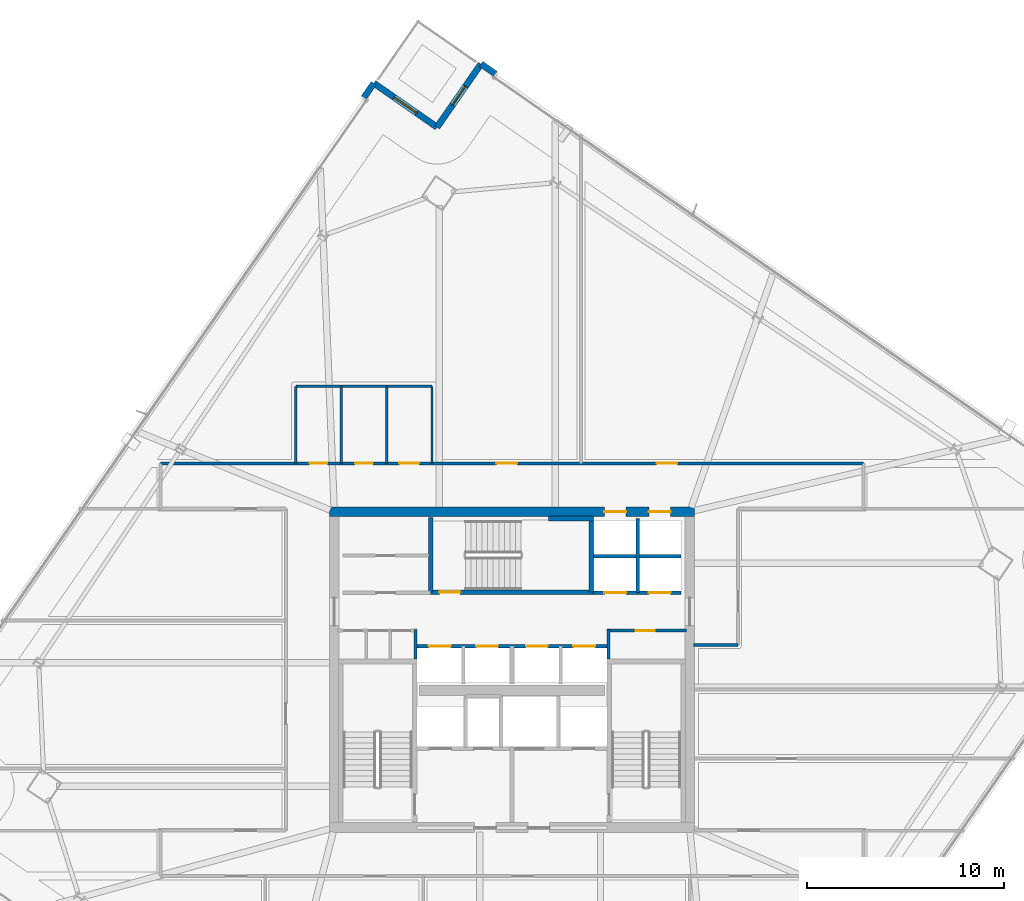
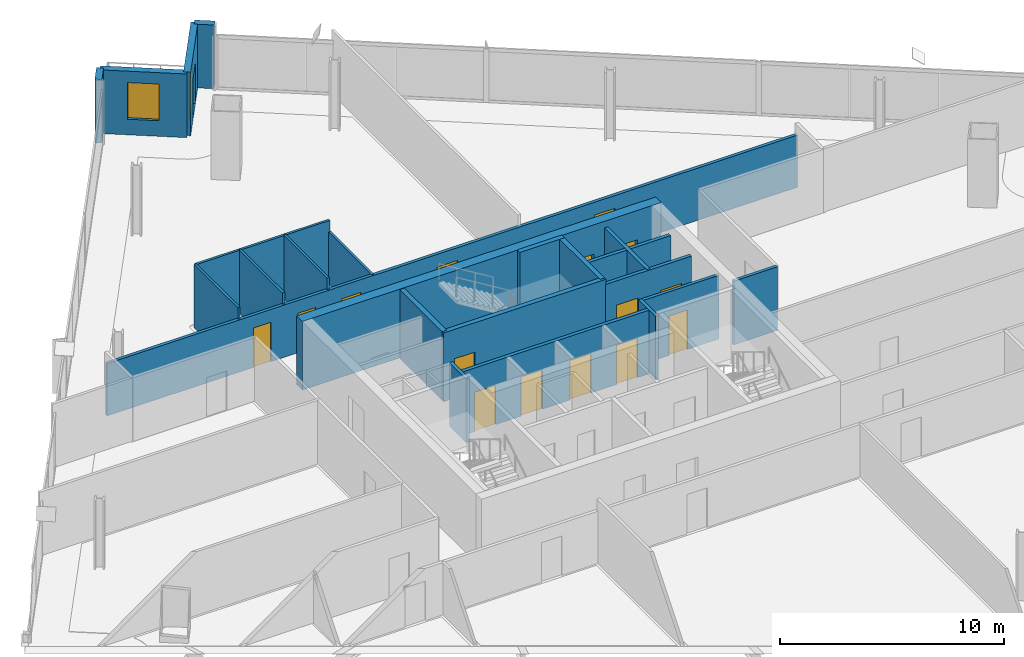
# One storey, part 24 of 30: 23 walls, 16 doors, 1 window, 17 openings.
"""IFC4 building model written with IfcOpenShell, lengths in metres."""

from ifc_helpers import new_model, si_unit, direction, frame, frame_2d, origin, place, context, subcontext, project, spatial, rectangle, extrude, material, layer, layer_set, type_object, element, fill, save


model = new_model("IFC4")

# Units and contexts
model_context = context("Model", 3, precision=1e-05, world=origin(), true_north=direction((0.0, 1.0)))
body_context = subcontext(model_context, "Body", "Model", "MODEL_VIEW")
ifc_project = project(units=[si_unit("LENGTHUNIT", "METRE"), si_unit("AREAUNIT", "SQUARE_METRE"), si_unit("VOLUMEUNIT", "CUBIC_METRE"), si_unit("PLANEANGLEUNIT", "RADIAN"), si_unit("MASSUNIT", "GRAM", prefix="KILO")], contexts=[model_context])

# Site, building, storey
site_placement = place(None, origin())
site = spatial("IfcSite", under=ifc_project, at=site_placement, CompositionType="ELEMENT")
building_placement = place(site_placement, origin())
building = spatial("IfcBuilding", under=site, at=building_placement, Name="Haldenkirk Collegiate Tower", CompositionType="ELEMENT")
storey_placement = place(building_placement, frame((0.0, 0.0, 213.449951171875)))
storey = spatial("IfcBuildingStorey", under=building, at=storey_placement, Name="L53", CompositionType="ELEMENT", Elevation=213.449951171875)

# Wall, openings, doors
ifc_material_1 = material(Name="Concrete f'c 55 MPa", Category="concrete")
ifc_layer_1 = layer(ifc_material_1, 0.5)
ifc_layer_set_1 = layer_set([ifc_layer_1], Name="Concrete f'c 55 MPa")
wall_type_1 = type_object("IfcWallType", Name="WL-CORE-500", PredefinedType="SHEAR", material=ifc_layer_set_1)
wall_1_placement = place(storey_placement, frame((26.75, 34.0, 0.0), z_axis=(0.0, 0.0, 1.0), x_axis=(1.0, 0.0, 0.0)))
wall_1 = element("IfcWall", 1, at=wall_1_placement, inside=storey, type_object=wall_type_1, Name="L53 central core shear wall N", PredefinedType="SHEAR", context=body_context, shape_type="SweptSolid", body=[
    extrude(rectangle(XDim=18.5, YDim=0.5, at=frame_2d((9.25, 0.0))), origin(), (0.0, 0.0, 1.0), 3.75),
])
opening_1_placement = place(wall_1_placement, frame((13.93505859375, 0.0, 0.0)))
opening_1 = element("IfcOpeningElement", 2, at=opening_1_placement, cuts=wall_1, Name="Opening LD-11", PredefinedType="OPENING", context=body_context, shape_type="SweptSolid", body=[
    extrude(rectangle(XDim=1.10009765625, YDim=2.14990234375, at=frame_2d((0.550048828125, 1.074951171875))), frame((0.0, 0.260009765625, 0.0), z_axis=(0.0, -1.0, 0.0), x_axis=(1.0, 0.0, 0.0)), (0.0, 0.0, 1.0), 0.52001953125),
])
opening_2_placement = place(wall_1_placement, frame((16.18505859375, 0.0, 0.0)))
opening_2 = element("IfcOpeningElement", 3, at=opening_2_placement, cuts=wall_1, Name="Opening LD-11", PredefinedType="OPENING", context=body_context, shape_type="SweptSolid", body=[
    extrude(rectangle(XDim=1.10009765625, YDim=2.14990234375, at=frame_2d((0.550048828125, 1.074951171875))), frame((0.0, 0.260009765625, 0.0), z_axis=(0.0, -1.0, 0.0), x_axis=(1.0, 0.0, 0.0)), (0.0, 0.0, 1.0), 0.52001953125),
])
ifc_material_2 = material(Name="Brushed architectural stainless steel", Category="steel")
ifc_layer_2 = layer(ifc_material_2, 0.06005859375)
ifc_layer_set_2 = layer_set([ifc_layer_2], Name="Brushed architectural stainless steel")
door_type_1 = type_object("IfcDoorType", Name="LD-PASS-1100", OperationType="NOTDEFINED", PredefinedType="DOOR", material=ifc_layer_set_2)
door_1_placement = place(opening_1_placement, origin())
door_1 = element("IfcDoor", 4, at=door_1_placement, inside=storey, type_object=door_type_1, Name="L53 Elevator PM3 sliding landing door", OperationType="SLIDING_TO_LEFT", OverallHeight=2.14990234375, OverallWidth=1.10009765625, PredefinedType="DOOR", context=body_context, shape_type="SweptSolid", body=[
    extrude(rectangle(XDim=1.10009765625, YDim=2.14990234375, at=frame_2d((0.550048828125, 1.074951171875))), frame((0.0, 0.02490234375, 0.0), z_axis=(0.0, -1.0, 0.0), x_axis=(1.0, 0.0, 0.0)), (0.0, 0.0, 1.0), 0.050048828125),
])
fill(opening_1, door_1)
door_2_placement = place(opening_2_placement, origin())
door_2 = element("IfcDoor", 5, at=door_2_placement, inside=storey, type_object=door_type_1, Name="L53 Elevator PM4 sliding landing door", OperationType="SLIDING_TO_LEFT", OverallHeight=2.14990234375, OverallWidth=1.10009765625, PredefinedType="DOOR", context=body_context, shape_type="SweptSolid", body=[
    extrude(rectangle(XDim=1.10009765625, YDim=2.14990234375, at=frame_2d((0.550048828125, 1.074951171875))), frame((0.0, 0.02490234375, 0.0), z_axis=(0.0, -1.0, 0.0), x_axis=(1.0, 0.0, 0.0)), (0.0, 0.0, 1.0), 0.050048828125),
])
fill(opening_2, door_2)

# Wall
ifc_material_3 = material(Name="Precast concrete f'c 40 MPa", Category="concrete")
ifc_layer_3 = layer(ifc_material_3, 0.320068359375)
ifc_layer_set_3 = layer_set([ifc_layer_3], Name="Precast concrete f'c 40 MPa")
wall_type_2 = type_object("IfcWallType", Name="WL-EXT-TWR-320", PredefinedType="STANDARD", material=ifc_layer_set_3)
wall_2_placement = place(storey_placement, frame((34.4306640625, 56.683349609375, 0.0), z_axis=(0.0, 0.0, 1.0), x_axis=(0.821126300875, -0.570746526938, 0.0)))
element("IfcWall", 6, at=wall_2_placement, inside=storey, type_object=wall_type_2, Name="L53 precast corner pier EL", PredefinedType="STANDARD", context=body_context, shape_type="SweptSolid", body=[
    extrude(rectangle(XDim=0.89990234375, YDim=0.320068359375, at=frame_2d((0.449951171875, 0.0))), origin(), (0.0, 0.0, 1.0), 3.469970703125),
])

# Wall, opening, door
wall_3_placement = place(storey_placement, frame((32.205078125, 53.48095703125, 0.0), z_axis=(0.0, 0.0, 1.0), x_axis=(0.570690245506, 0.821165417979, 0.0)))
wall_3 = element("IfcWall", 7, at=wall_3_placement, inside=storey, type_object=wall_type_2, Name="L53 bronze precast notch wall 05", PredefinedType="STANDARD", context=body_context, shape_type="SweptSolid", body=[
    extrude(rectangle(XDim=3.89990234375, YDim=0.320068359375, at=frame_2d((1.949951171875, 0.0))), origin(), (0.0, 0.0, 1.0), 3.469970703125),
])
opening_3_placement = place(wall_3_placement, frame((1.375, 0.0, 0.0)))
opening_3 = element("IfcOpeningElement", 8, at=opening_3_placement, cuts=wall_3, Name="Opening D-ST11", PredefinedType="OPENING", context=body_context, shape_type="SweptSolid", body=[
    extrude(rectangle(XDim=1.14990234375, YDim=2.199951171875, at=frame_2d((0.574951171875, 1.10009765625))), frame((0.0, 0.169921875, 0.0), z_axis=(0.0, -1.0, 0.0), x_axis=(1.0, 0.0, 0.0)), (0.0, 0.0, 1.0), 0.340087890625),
])
ifc_material_4 = material(Name="Anodised architectural bronze aluminium", Category="aluminium")
ifc_layer_4 = layer(ifc_material_4, 0.080078125)
ifc_layer_set_4 = layer_set([ifc_layer_4], Name="Anodised architectural bronze aluminium")
door_type_2 = type_object("IfcDoorType", Name="DR-EXT-STER-1150", OperationType="NOTDEFINED", PredefinedType="DOOR", material=ifc_layer_set_4)
door_3_placement = place(opening_3_placement, origin())
door_3 = element("IfcDoor", 9, at=door_3_placement, inside=storey, type_object=door_type_2, Name="L53 spiralling terrace door", OperationType="SINGLE_SWING_RIGHT", OverallHeight=2.199951171875, OverallWidth=1.14990234375, PredefinedType="DOOR", context=body_context, shape_type="SweptSolid", body=[
    extrude(rectangle(XDim=1.14990234375, YDim=2.199951171875, at=frame_2d((0.574951171875, 1.10009765625))), frame((0.0, 0.02490234375, 0.0), z_axis=(0.0, -1.0, 0.0), x_axis=(1.0, 0.0, 0.0)), (0.0, 0.0, 1.0), 0.050048828125),
])
fill(opening_3, door_3)

# Wall, opening, window
wall_4_placement = place(storey_placement, frame((29.00244140625, 55.70654296875, 0.0), z_axis=(0.0, 0.0, 1.0), x_axis=(0.821185805459, -0.57066090887, 0.0)))
wall_4 = element("IfcWall", 10, at=wall_4_placement, inside=storey, type_object=wall_type_2, Name="L53 bronze precast notch wall 06", PredefinedType="STANDARD", context=body_context, shape_type="SweptSolid", body=[
    extrude(rectangle(XDim=3.89990234375, YDim=0.320068359375, at=frame_2d((1.949951171875, 0.0))), origin(), (0.0, 0.0, 1.0), 3.469970703125),
])
opening_4_placement = place(wall_4_placement, frame((1.25, 0.0, 0.85009765625)))
opening_4 = element("IfcOpeningElement", 11, at=opening_4_placement, cuts=wall_4, Name="Opening W-06", PredefinedType="OPENING", context=body_context, shape_type="SweptSolid", body=[
    extrude(rectangle(XDim=1.39990234375, YDim=2.0, at=frame_2d((0.699951171875, 1.0))), frame((0.0, 0.169921875, 0.0), z_axis=(0.0, -1.0, 0.0), x_axis=(1.0, 0.0, 0.0)), (0.0, 0.0, 1.0), 0.340087890625),
])
ifc_material_5 = material(Name="Low-E argon triple insulating glass", Category="glass")
ifc_layer_5 = layer(ifc_material_5, 0.090087890625)
ifc_layer_set_5 = layer_set([ifc_layer_5], Name="Low-E argon triple insulating glass")
window_type = type_object("IfcWindowType", Name="WN-Z4-1400X2000", PartitioningType="SINGLE_PANEL", PredefinedType="WINDOW", material=ifc_layer_set_5)
window_placement = place(opening_4_placement, origin())
window = element("IfcWindow", 12, at=window_placement, inside=storey, type_object=window_type, Name="L53 precast-frame academic window 5", OverallHeight=2.0, OverallWidth=1.39990234375, PartitioningType="SINGLE_PANEL", PredefinedType="WINDOW", context=body_context, shape_type="SweptSolid", body=[
    extrude(rectangle(XDim=1.39990234375, YDim=2.0, at=frame_2d((0.699951171875, 1.0))), frame((0.0, 0.030029296875, 0.0), z_axis=(0.0, -1.0, 0.0), x_axis=(1.0, 0.0, 0.0)), (0.0, 0.0, 1.0), 0.06005859375),
])
fill(opening_4, window)

# Walls
wall_5_placement = place(storey_placement, frame((28.489013671875, 54.967529296875, 0.0), z_axis=(0.0, 0.0, 1.0), x_axis=(0.570563582873, 0.821253430982, 0.0)))
element("IfcWall", 13, at=wall_5_placement, inside=storey, type_object=wall_type_2, Name="L53 precast corner pier NR", PredefinedType="STANDARD", context=body_context, shape_type="SweptSolid", body=[
    extrude(rectangle(XDim=0.89990234375, YDim=0.320068359375, at=frame_2d((0.449951171875, 0.0))), origin(), (0.0, 0.0, 1.0), 3.469970703125),
])
ifc_material_6 = material(Name="Acoustic fire-rated gypsum partition", Category="concrete")
ifc_layer_6 = layer(ifc_material_6, 0.159912109375)
ifc_layer_set_6 = layer_set([ifc_layer_6], Name="Acoustic fire-rated gypsum partition")
wall_type_3 = type_object("IfcWallType", Name="WL-INT-CORR-160", PredefinedType="PARTITIONING", material=ifc_layer_set_6)
wall_6_placement = place(storey_placement, frame((31.1201171875, 26.5400390625, 0.0), z_axis=(0.0, 0.0, 1.0), x_axis=(0.0, 1.0, 0.0)))
element("IfcWall", 14, at=wall_6_placement, inside=storey, type_object=wall_type_3, Name="L53 interior partition IW-L53-VCSW-E", PredefinedType="PARTITIONING", context=body_context, shape_type="SweptSolid", body=[
    extrude(rectangle(XDim=1.510009765625, YDim=0.159912109375, at=frame_2d((0.7548828125, 0.0))), origin(), (0.0, 0.0, 1.0), 3.469970703125),
])

# Wall, opening, door
wall_7_placement = place(storey_placement, frame((40.800048828125, 27.97998046875, 0.0), z_axis=(0.0, 0.0, 1.0), x_axis=(1.0, 0.0, 0.0)))
wall_7 = element("IfcWall", 15, at=wall_7_placement, inside=storey, type_object=wall_type_3, Name="L53 interior partition IW-L53-VCSE-N", PredefinedType="PARTITIONING", context=body_context, shape_type="SweptSolid", body=[
    extrude(rectangle(XDim=4.050048828125, YDim=0.159912109375, at=frame_2d((2.02490234375, 0.0))), origin(), (0.0, 0.0, 1.0), 3.469970703125),
])
opening_5_placement = place(wall_7_placement, frame((1.47509765625, 0.0, 0.0)))
opening_5 = element("IfcOpeningElement", 16, at=opening_5_placement, cuts=wall_7, Name="Opening D-10", PredefinedType="OPENING", context=body_context, shape_type="SweptSolid", body=[
    extrude(rectangle(XDim=0.949951171875, YDim=2.14990234375, at=frame_2d((0.47509765625, 1.074951171875))), frame((0.0, 0.08984375, 0.0), z_axis=(0.0, -1.0, 0.0), x_axis=(1.0, 0.0, 0.0)), (0.0, 0.0, 1.0), 0.179931640625),
])
ifc_material_7 = material(Name="Solid-core architectural oak fire door", Category="wood")
ifc_layer_7 = layer(ifc_material_7, 0.06005859375)
ifc_layer_set_7 = layer_set([ifc_layer_7], Name="Solid-core architectural oak fire door")
door_type_3 = type_object("IfcDoorType", Name="DR-INT-FD60-950", OperationType="NOTDEFINED", PredefinedType="DOOR", material=ifc_layer_set_7)
door_4_placement = place(opening_5_placement, origin())
door_4 = element("IfcDoor", 17, at=door_4_placement, inside=storey, type_object=door_type_3, Name="L53 core archive vault door", OperationType="SINGLE_SWING_LEFT", OverallHeight=2.14990234375, OverallWidth=0.949951171875, PredefinedType="DOOR", context=body_context, shape_type="SweptSolid", body=[
    extrude(rectangle(XDim=0.949951171875, YDim=2.14990234375, at=frame_2d((0.47509765625, 1.074951171875))), frame((0.0, 0.02490234375, 0.0), z_axis=(0.0, -1.0, 0.0), x_axis=(1.0, 0.0, 0.0)), (0.0, 0.0, 1.0), 0.050048828125),
])
fill(opening_5, door_4)

# Wall
wall_8_placement = place(storey_placement, frame((40.8798828125, 26.5400390625, 0.0), z_axis=(0.0, 0.0, 1.0), x_axis=(0.0, 1.0, 0.0)))
element("IfcWall", 18, at=wall_8_placement, inside=storey, type_object=wall_type_3, Name="L53 interior partition IW-L53-VCSE-W", PredefinedType="PARTITIONING", context=body_context, shape_type="SweptSolid", body=[
    extrude(rectangle(XDim=1.510009765625, YDim=0.159912109375, at=frame_2d((0.7548828125, 0.0))), origin(), (0.0, 0.0, 1.0), 3.469970703125),
])

# Wall, openings, doors
wall_9_placement = place(storey_placement, frame((18.199951171875, 36.449951171875, 0.0), z_axis=(0.0, 0.0, 1.0), x_axis=(1.0, 0.0, 0.0)))
wall_9 = element("IfcWall", 19, at=wall_9_placement, inside=storey, type_object=wall_type_3, Name="L53 interior partition IW-L53-CN", PredefinedType="PARTITIONING", context=body_context, shape_type="SweptSolid", body=[
    extrude(rectangle(XDim=35.60009765625, YDim=0.159912109375, at=frame_2d((17.800048828125, 0.0))), origin(), (0.0, 0.0, 1.0), 2.84912109375),
])
opening_6_placement = place(wall_9_placement, frame((7.550048828125, 0.0, 0.0)))
opening_6 = element("IfcOpeningElement", 20, at=opening_6_placement, cuts=wall_9, Name="Opening D-13", PredefinedType="OPENING", context=body_context, shape_type="SweptSolid", body=[
    extrude(rectangle(XDim=0.89990234375, YDim=2.14990234375, at=frame_2d((0.449951171875, 1.074951171875))), frame((0.0, 0.08984375, 0.0), z_axis=(0.0, -1.0, 0.0), x_axis=(1.0, 0.0, 0.0)), (0.0, 0.0, 1.0), 0.179931640625),
])
opening_7_placement = place(wall_9_placement, frame((9.85009765625, 0.0, 0.0)))
opening_7 = element("IfcOpeningElement", 21, at=opening_7_placement, cuts=wall_9, Name="Opening D-13", PredefinedType="OPENING", context=body_context, shape_type="SweptSolid", body=[
    extrude(rectangle(XDim=0.89990234375, YDim=2.14990234375, at=frame_2d((0.449951171875, 1.074951171875))), frame((0.0, 0.08984375, 0.0), z_axis=(0.0, -1.0, 0.0), x_axis=(1.0, 0.0, 0.0)), (0.0, 0.0, 1.0), 0.179931640625),
])
opening_8_placement = place(wall_9_placement, frame((12.10009765625, 0.0, 0.0)))
opening_8 = element("IfcOpeningElement", 22, at=opening_8_placement, cuts=wall_9, Name="Opening D-14", PredefinedType="OPENING", context=body_context, shape_type="SweptSolid", body=[
    extrude(rectangle(XDim=1.0, YDim=2.14990234375, at=frame_2d((0.5, 1.074951171875))), frame((0.0, 0.08984375, 0.0), z_axis=(0.0, -1.0, 0.0), x_axis=(1.0, 0.0, 0.0)), (0.0, 0.0, 1.0), 0.179931640625),
])
opening_9_placement = place(wall_9_placement, frame((17.010009765625, 0.0, 0.0)))
opening_9 = element("IfcOpeningElement", 23, at=opening_9_placement, cuts=wall_9, Name="Opening D-09", PredefinedType="OPENING", context=body_context, shape_type="SweptSolid", body=[
    extrude(rectangle(XDim=1.050048828125, YDim=2.14990234375, at=frame_2d((0.52490234375, 1.074951171875))), frame((0.0, 0.08984375, 0.0), z_axis=(0.0, -1.0, 0.0), x_axis=(1.0, 0.0, 0.0)), (0.0, 0.0, 1.0), 0.179931640625),
])
opening_10_placement = place(wall_9_placement, frame((25.125, 0.0, 0.0)))
opening_10 = element("IfcOpeningElement", 24, at=opening_10_placement, cuts=wall_9, Name="Opening D-09", PredefinedType="OPENING", context=body_context, shape_type="SweptSolid", body=[
    extrude(rectangle(XDim=1.050048828125, YDim=2.14990234375, at=frame_2d((0.52490234375, 1.074951171875))), frame((0.0, 0.08984375, 0.0), z_axis=(0.0, -1.0, 0.0), x_axis=(1.0, 0.0, 0.0)), (0.0, 0.0, 1.0), 0.179931640625),
])
ifc_layer_8 = layer(ifc_material_7, 0.06005859375)
ifc_layer_set_8 = layer_set([ifc_layer_8], Name="Solid-core architectural oak fire door")
door_type_4 = type_object("IfcDoorType", Name="DR-INT-ACC-1000", OperationType="NOTDEFINED", PredefinedType="DOOR", material=ifc_layer_set_8)
door_5_placement = place(opening_8_placement, origin())
door_5 = element("IfcDoor", 25, at=door_5_placement, inside=storey, type_object=door_type_4, Name="L53 Accessible WC door", OperationType="SINGLE_SWING_RIGHT", OverallHeight=2.14990234375, OverallWidth=1.0, PredefinedType="DOOR", context=body_context, shape_type="SweptSolid", body=[
    extrude(rectangle(XDim=1.0, YDim=2.14990234375, at=frame_2d((0.5, 1.074951171875))), frame((0.0, 0.02490234375, 0.0), z_axis=(0.0, -1.0, 0.0), x_axis=(1.0, 0.0, 0.0)), (0.0, 0.0, 1.0), 0.050048828125),
])
fill(opening_8, door_5)
ifc_layer_9 = layer(ifc_material_7, 0.06005859375)
ifc_layer_set_9 = layer_set([ifc_layer_9], Name="Solid-core architectural oak fire door")
door_type_5 = type_object("IfcDoorType", Name="DR-INT-FD60-1050", OperationType="NOTDEFINED", PredefinedType="DOOR", material=ifc_layer_set_9)
door_6_placement = place(opening_9_placement, origin())
door_6 = element("IfcDoor", 26, at=door_6_placement, inside=storey, type_object=door_type_5, Name="L53 Departmental Office 5 door", OperationType="SINGLE_SWING_LEFT", OverallHeight=2.14990234375, OverallWidth=1.050048828125, PredefinedType="DOOR", context=body_context, shape_type="SweptSolid", body=[
    extrude(rectangle(XDim=1.050048828125, YDim=2.14990234375, at=frame_2d((0.52490234375, 1.074951171875))), frame((0.0, 0.02490234375, 0.0), z_axis=(0.0, -1.0, 0.0), x_axis=(1.0, 0.0, 0.0)), (0.0, 0.0, 1.0), 0.050048828125),
])
fill(opening_9, door_6)
door_7_placement = place(opening_10_placement, origin())
door_7 = element("IfcDoor", 27, at=door_7_placement, inside=storey, type_object=door_type_5, Name="L53 Curator Office 6 door", OperationType="SINGLE_SWING_RIGHT", OverallHeight=2.14990234375, OverallWidth=1.050048828125, PredefinedType="DOOR", context=body_context, shape_type="SweptSolid", body=[
    extrude(rectangle(XDim=1.050048828125, YDim=2.14990234375, at=frame_2d((0.52490234375, 1.074951171875))), frame((0.0, 0.02490234375, 0.0), z_axis=(0.0, -1.0, 0.0), x_axis=(1.0, 0.0, 0.0)), (0.0, 0.0, 1.0), 0.050048828125),
])
fill(opening_10, door_7)
ifc_layer_10 = layer(ifc_material_7, 0.06005859375)
ifc_layer_set_10 = layer_set([ifc_layer_10], Name="Solid-core architectural oak fire door")
door_type_6 = type_object("IfcDoorType", Name="DR-INT-STD-900", OperationType="NOTDEFINED", PredefinedType="DOOR", material=ifc_layer_set_10)
door_8_placement = place(opening_6_placement, origin())
door_8 = element("IfcDoor", 28, at=door_8_placement, inside=storey, type_object=door_type_6, Name="L53 Male WC door", OperationType="SINGLE_SWING_RIGHT", OverallHeight=2.14990234375, OverallWidth=0.89990234375, PredefinedType="DOOR", context=body_context, shape_type="SweptSolid", body=[
    extrude(rectangle(XDim=0.89990234375, YDim=2.14990234375, at=frame_2d((0.449951171875, 1.074951171875))), frame((0.0, 0.02490234375, 0.0), z_axis=(0.0, -1.0, 0.0), x_axis=(1.0, 0.0, 0.0)), (0.0, 0.0, 1.0), 0.050048828125),
])
fill(opening_6, door_8)
door_9_placement = place(opening_7_placement, origin())
door_9 = element("IfcDoor", 29, at=door_9_placement, inside=storey, type_object=door_type_6, Name="L53 Female WC door", OperationType="SINGLE_SWING_LEFT", OverallHeight=2.14990234375, OverallWidth=0.89990234375, PredefinedType="DOOR", context=body_context, shape_type="SweptSolid", body=[
    extrude(rectangle(XDim=0.89990234375, YDim=2.14990234375, at=frame_2d((0.449951171875, 1.074951171875))), frame((0.0, 0.02490234375, 0.0), z_axis=(0.0, -1.0, 0.0), x_axis=(1.0, 0.0, 0.0)), (0.0, 0.0, 1.0), 0.050048828125),
])
fill(opening_7, door_9)

# Wall
wall_10_placement = place(storey_placement, frame((45.199951171875, 27.25, 0.0), z_axis=(0.0, 0.0, 1.0), x_axis=(1.0, 0.0, 0.0)))
element("IfcWall", 30, at=wall_10_placement, inside=storey, type_object=wall_type_3, Name="L53 interior partition IW-L53-CES", PredefinedType="PARTITIONING", context=body_context, shape_type="SweptSolid", body=[
    extrude(rectangle(XDim=2.25, YDim=0.159912109375, at=frame_2d((1.125, 0.0))), origin(), (0.0, 0.0, 1.0), 3.469970703125),
])

# Wall, openings, doors
ifc_material_8 = material(Name="Fire-rated gypsum shaftboard assembly", Category="concrete")
ifc_layer_11 = layer(ifc_material_8, 0.179931640625)
ifc_layer_set_11 = layer_set([ifc_layer_11], Name="Fire-rated gypsum shaftboard assembly")
wall_type_4 = type_object("IfcWallType", Name="WL-INT-SHAFT-180", PredefinedType="PARTITIONING", material=ifc_layer_set_11)
wall_11_placement = place(storey_placement, frame((40.1201171875, 29.89990234375, 0.0), z_axis=(0.0, 0.0, 1.0), x_axis=(1.0, 0.0, 0.0)))
wall_11 = element("IfcWall", 31, at=wall_11_placement, inside=storey, type_object=wall_type_4, Name="L53 interior partition IW-L53-PMS", PredefinedType="PARTITIONING", context=body_context, shape_type="SweptSolid", body=[
    extrude(rectangle(XDim=4.429931640625, YDim=0.179931640625, at=frame_2d((2.21484375, 0.0))), origin(), (0.0, 0.0, 1.0), 3.469970703125),
])
opening_11_placement = place(wall_11_placement, frame((0.56494140625, 0.0, 0.0)))
opening_11 = element("IfcOpeningElement", 32, at=opening_11_placement, cuts=wall_11, Name="Opening LD-11", PredefinedType="OPENING", context=body_context, shape_type="SweptSolid", body=[
    extrude(rectangle(XDim=1.10009765625, YDim=2.14990234375, at=frame_2d((0.550048828125, 1.074951171875))), frame((0.0, 0.099853515625, 0.0), z_axis=(0.0, -1.0, 0.0), x_axis=(1.0, 0.0, 0.0)), (0.0, 0.0, 1.0), 0.199951171875),
])
opening_12_placement = place(wall_11_placement, frame((2.81494140625, 0.0, 0.0)))
opening_12 = element("IfcOpeningElement", 33, at=opening_12_placement, cuts=wall_11, Name="Opening LD-11", PredefinedType="OPENING", context=body_context, shape_type="SweptSolid", body=[
    extrude(rectangle(XDim=1.10009765625, YDim=2.14990234375, at=frame_2d((0.550048828125, 1.074951171875))), frame((0.0, 0.099853515625, 0.0), z_axis=(0.0, -1.0, 0.0), x_axis=(1.0, 0.0, 0.0)), (0.0, 0.0, 1.0), 0.199951171875),
])
door_10_placement = place(opening_11_placement, origin())
door_10 = element("IfcDoor", 34, at=door_10_placement, inside=storey, type_object=door_type_1, Name="L53 Elevator PM1 sliding landing door", OperationType="SLIDING_TO_LEFT", OverallHeight=2.14990234375, OverallWidth=1.10009765625, PredefinedType="DOOR", context=body_context, shape_type="SweptSolid", body=[
    extrude(rectangle(XDim=1.10009765625, YDim=2.14990234375, at=frame_2d((0.550048828125, 1.074951171875))), frame((0.0, 0.02490234375, 0.0), z_axis=(0.0, -1.0, 0.0), x_axis=(1.0, 0.0, 0.0)), (0.0, 0.0, 1.0), 0.050048828125),
])
fill(opening_11, door_10)
door_11_placement = place(opening_12_placement, origin())
door_11 = element("IfcDoor", 35, at=door_11_placement, inside=storey, type_object=door_type_1, Name="L53 Elevator PM2 sliding landing door", OperationType="SLIDING_TO_LEFT", OverallHeight=2.14990234375, OverallWidth=1.10009765625, PredefinedType="DOOR", context=body_context, shape_type="SweptSolid", body=[
    extrude(rectangle(XDim=1.10009765625, YDim=2.14990234375, at=frame_2d((0.550048828125, 1.074951171875))), frame((0.0, 0.02490234375, 0.0), z_axis=(0.0, -1.0, 0.0), x_axis=(1.0, 0.0, 0.0)), (0.0, 0.0, 1.0), 0.050048828125),
])
fill(opening_12, door_11)

# Walls
wall_12_placement = place(storey_placement, frame((40.1201171875, 31.75, 0.0), z_axis=(0.0, 0.0, 1.0), x_axis=(1.0, 0.0, 0.0)))
element("IfcWall", 36, at=wall_12_placement, inside=storey, type_object=wall_type_4, Name="L53 interior partition IW-L53-PMM", PredefinedType="PARTITIONING", context=body_context, shape_type="SweptSolid", body=[
    extrude(rectangle(XDim=4.429931640625, YDim=0.179931640625, at=frame_2d((2.21484375, 0.0))), origin(), (0.0, 0.0, 1.0), 3.469970703125),
])
wall_13_placement = place(storey_placement, frame((42.3701171875, 29.89990234375, 0.0), z_axis=(0.0, 0.0, 1.0), x_axis=(0.0, 1.0, 0.0)))
element("IfcWall", 37, at=wall_13_placement, inside=storey, type_object=wall_type_4, Name="L53 interior partition IW-L53-PMV", PredefinedType="PARTITIONING", context=body_context, shape_type="SweptSolid", body=[
    extrude(rectangle(XDim=3.75, YDim=0.179931640625, at=frame_2d((1.875, 0.0))), origin(), (0.0, 0.0, 1.0), 3.469970703125),
])

# Wall, openings, doors
wall_14_placement = place(storey_placement, frame((31.199951171875, 27.199951171875, 0.0), z_axis=(0.0, 0.0, 1.0), x_axis=(1.0, 0.0, 0.0)))
wall_14 = element("IfcWall", 38, at=wall_14_placement, inside=storey, type_object=wall_type_4, Name="L53 interior partition IW-L53-PHN", PredefinedType="PARTITIONING", context=body_context, shape_type="SweptSolid", body=[
    extrude(rectangle(XDim=9.60009765625, YDim=0.179931640625, at=frame_2d((4.800048828125, 0.0))), origin(), (0.0, 0.0, 1.0), 3.469970703125),
])
opening_13_placement = place(wall_14_placement, frame((0.590087890625, 0.0, 0.0)))
opening_13 = element("IfcOpeningElement", 39, at=opening_13_placement, cuts=wall_14, Name="Opening LD-11", PredefinedType="OPENING", context=body_context, shape_type="SweptSolid", body=[
    extrude(rectangle(XDim=1.10009765625, YDim=2.14990234375, at=frame_2d((0.550048828125, 1.074951171875))), frame((0.0, 0.099853515625, 0.0), z_axis=(0.0, -1.0, 0.0), x_axis=(1.0, 0.0, 0.0)), (0.0, 0.0, 1.0), 0.199951171875),
])
opening_14_placement = place(wall_14_placement, frame((2.989990234375, 0.0, 0.0)))
opening_14 = element("IfcOpeningElement", 40, at=opening_14_placement, cuts=wall_14, Name="Opening LD-11", PredefinedType="OPENING", context=body_context, shape_type="SweptSolid", body=[
    extrude(rectangle(XDim=1.10009765625, YDim=2.14990234375, at=frame_2d((0.550048828125, 1.074951171875))), frame((0.0, 0.099853515625, 0.0), z_axis=(0.0, -1.0, 0.0), x_axis=(1.0, 0.0, 0.0)), (0.0, 0.0, 1.0), 0.199951171875),
])
opening_15_placement = place(wall_14_placement, frame((5.510009765625, 0.0, 0.0)))
opening_15 = element("IfcOpeningElement", 41, at=opening_15_placement, cuts=wall_14, Name="Opening LD-11", PredefinedType="OPENING", context=body_context, shape_type="SweptSolid", body=[
    extrude(rectangle(XDim=1.10009765625, YDim=2.14990234375, at=frame_2d((0.550048828125, 1.074951171875))), frame((0.0, 0.099853515625, 0.0), z_axis=(0.0, -1.0, 0.0), x_axis=(1.0, 0.0, 0.0)), (0.0, 0.0, 1.0), 0.199951171875),
])
opening_16_placement = place(wall_14_placement, frame((7.909912109375, 0.0, 0.0)))
opening_16 = element("IfcOpeningElement", 42, at=opening_16_placement, cuts=wall_14, Name="Opening LD-11", PredefinedType="OPENING", context=body_context, shape_type="SweptSolid", body=[
    extrude(rectangle(XDim=1.10009765625, YDim=2.14990234375, at=frame_2d((0.550048828125, 1.074951171875))), frame((0.0, 0.099853515625, 0.0), z_axis=(0.0, -1.0, 0.0), x_axis=(1.0, 0.0, 0.0)), (0.0, 0.0, 1.0), 0.199951171875),
])
door_12_placement = place(opening_13_placement, origin())
door_12 = element("IfcDoor", 43, at=door_12_placement, inside=storey, type_object=door_type_1, Name="L53 Elevator PH1 sliding landing door", OperationType="SLIDING_TO_LEFT", OverallHeight=2.14990234375, OverallWidth=1.10009765625, PredefinedType="DOOR", context=body_context, shape_type="SweptSolid", body=[
    extrude(rectangle(XDim=1.10009765625, YDim=2.14990234375, at=frame_2d((0.550048828125, 1.074951171875))), frame((0.0, 0.02490234375, 0.0), z_axis=(0.0, -1.0, 0.0), x_axis=(1.0, 0.0, 0.0)), (0.0, 0.0, 1.0), 0.050048828125),
])
fill(opening_13, door_12)
door_13_placement = place(opening_14_placement, origin())
door_13 = element("IfcDoor", 44, at=door_13_placement, inside=storey, type_object=door_type_1, Name="L53 Elevator PH2 sliding landing door", OperationType="SLIDING_TO_LEFT", OverallHeight=2.14990234375, OverallWidth=1.10009765625, PredefinedType="DOOR", context=body_context, shape_type="SweptSolid", body=[
    extrude(rectangle(XDim=1.10009765625, YDim=2.14990234375, at=frame_2d((0.550048828125, 1.074951171875))), frame((0.0, 0.02490234375, 0.0), z_axis=(0.0, -1.0, 0.0), x_axis=(1.0, 0.0, 0.0)), (0.0, 0.0, 1.0), 0.050048828125),
])
fill(opening_14, door_13)
door_14_placement = place(opening_15_placement, origin())
door_14 = element("IfcDoor", 45, at=door_14_placement, inside=storey, type_object=door_type_1, Name="L53 Elevator PH3 sliding landing door", OperationType="SLIDING_TO_LEFT", OverallHeight=2.14990234375, OverallWidth=1.10009765625, PredefinedType="DOOR", context=body_context, shape_type="SweptSolid", body=[
    extrude(rectangle(XDim=1.10009765625, YDim=2.14990234375, at=frame_2d((0.550048828125, 1.074951171875))), frame((0.0, 0.02490234375, 0.0), z_axis=(0.0, -1.0, 0.0), x_axis=(1.0, 0.0, 0.0)), (0.0, 0.0, 1.0), 0.050048828125),
])
fill(opening_15, door_14)
door_15_placement = place(opening_16_placement, origin())
door_15 = element("IfcDoor", 46, at=door_15_placement, inside=storey, type_object=door_type_1, Name="L53 Elevator PH4 sliding landing door", OperationType="SLIDING_TO_LEFT", OverallHeight=2.14990234375, OverallWidth=1.10009765625, PredefinedType="DOOR", context=body_context, shape_type="SweptSolid", body=[
    extrude(rectangle(XDim=1.10009765625, YDim=2.14990234375, at=frame_2d((0.550048828125, 1.074951171875))), frame((0.0, 0.02490234375, 0.0), z_axis=(0.0, -1.0, 0.0), x_axis=(1.0, 0.0, 0.0)), (0.0, 0.0, 1.0), 0.050048828125),
])
fill(opening_16, door_15)

# Walls
ifc_layer_12 = layer(ifc_material_6, 0.1201171875)
ifc_layer_set_12 = layer_set([ifc_layer_12], Name="Acoustic fire-rated gypsum partition")
wall_type_5 = type_object("IfcWallType", Name="WL-INT-WET-120", PredefinedType="PARTITIONING", material=ifc_layer_set_12)
for number, where, z_axis, x_axis, name in (
    (47, (25.050048828125, 36.449951171875, 0.0), (0.0, 0.0, 1.0), (0.0, 1.0, 0.0), "L53 interior partition IW-L53-WCW"),
    (48, (27.35009765625, 36.449951171875, 0.0), (0.0, 0.0, 1.0), (0.0, 1.0, 0.0), "L53 interior partition IW-L53-WC1"),
    (49, (29.64990234375, 36.449951171875, 0.0), (0.0, 0.0, 1.0), (0.0, 1.0, 0.0), "L53 interior partition IW-L53-WC2"),
):
    element("IfcWall", number, at=place(storey_placement, frame(where, z_axis=z_axis, x_axis=x_axis)), inside=storey, type_object=wall_type_5, Name=name, PredefinedType="PARTITIONING", context=body_context, shape_type="SweptSolid", body=[
        extrude(rectangle(XDim=3.900146484375, YDim=0.1201171875, at=frame_2d((1.9501953125, 0.0))), origin(), (0.0, 0.0, 1.0), 3.469970703125),
    ])
wall_15_placement = place(storey_placement, frame((31.949951171875, 36.449951171875, 0.0), z_axis=(0.0, 0.0, 1.0), x_axis=(0.0, 1.0, 0.0)))
element("IfcWall", 50, at=wall_15_placement, inside=storey, type_object=wall_type_5, Name="L53 interior partition IW-L53-WCE", PredefinedType="PARTITIONING", context=body_context, shape_type="SweptSolid", body=[
    extrude(rectangle(XDim=3.900146484375, YDim=0.1201171875, at=frame_2d((1.9501953125, 0.0))), origin(), (0.0, 0.0, 1.0), 2.84912109375),
])
wall_16_placement = place(storey_placement, frame((25.050048828125, 40.35009765625, 0.0), z_axis=(0.0, 0.0, 1.0), x_axis=(1.0, 0.0, 0.0)))
element("IfcWall", 51, at=wall_16_placement, inside=storey, type_object=wall_type_5, Name="L53 interior partition IW-L53-WCB", PredefinedType="PARTITIONING", context=body_context, shape_type="SweptSolid", body=[
    extrude(rectangle(XDim=6.89990234375, YDim=0.1201171875, at=frame_2d((3.449951171875, 0.0))), origin(), (0.0, 0.0, 1.0), 3.469970703125),
])

# Wall, opening, door
ifc_layer_13 = layer(ifc_material_1, 0.239990234375)
ifc_layer_set_13 = layer_set([ifc_layer_13], Name="Concrete f'c 55 MPa")
wall_type_6 = type_object("IfcWallType", Name="WL-SHAFT-240", PredefinedType="SHEAR", material=ifc_layer_set_13)
wall_17_placement = place(storey_placement, frame((31.760009765625, 29.929931640625, 0.0), z_axis=(0.0, 0.0, 1.0), x_axis=(1.0, 0.0, 0.0)))
wall_17 = element("IfcWall", 52, at=wall_17_placement, inside=storey, type_object=wall_type_6, Name="L53 stair shaft shear wall SW-L53-ST3S", PredefinedType="SHEAR", context=body_context, shape_type="SweptSolid", body=[
    extrude(rectangle(XDim=8.3798828125, YDim=0.239990234375, at=frame_2d((4.18994140625, 0.0))), origin(), (0.0, 0.0, 1.0), 3.75),
])
opening_17_placement = place(wall_17_placement, frame((0.56494140625, 0.0, 0.0)))
opening_17 = element("IfcOpeningElement", 53, at=opening_17_placement, cuts=wall_17, Name="Opening D-01", PredefinedType="OPENING", context=body_context, shape_type="SweptSolid", body=[
    extrude(rectangle(XDim=1.050048828125, YDim=2.14990234375, at=frame_2d((0.52490234375, 1.074951171875))), frame((0.0, 0.1298828125, 0.0), z_axis=(0.0, -1.0, 0.0), x_axis=(1.0, 0.0, 0.0)), (0.0, 0.0, 1.0), 0.260009765625),
])
ifc_material_9 = material(Name="Galvanized fire-rated hollow steel door", Category="steel")
ifc_layer_14 = layer(ifc_material_9, 0.06005859375)
ifc_layer_set_14 = layer_set([ifc_layer_14], Name="Galvanized fire-rated hollow steel door")
door_type_7 = type_object("IfcDoorType", Name="DR-STAIR-FD90-1050", OperationType="NOTDEFINED", PredefinedType="DOOR", material=ifc_layer_set_14)
door_16_placement = place(opening_17_placement, origin())
door_16 = element("IfcDoor", 54, at=door_16_placement, inside=storey, type_object=door_type_7, Name="L53 lift lobby Stair 3 door", OperationType="SINGLE_SWING_RIGHT", OverallHeight=2.14990234375, OverallWidth=1.050048828125, PredefinedType="DOOR", context=body_context, shape_type="SweptSolid", body=[
    extrude(rectangle(XDim=1.050048828125, YDim=2.14990234375, at=frame_2d((0.52490234375, 1.074951171875))), frame((0.0, 0.02490234375, 0.0), z_axis=(0.0, -1.0, 0.0), x_axis=(1.0, 0.0, 0.0)), (0.0, 0.0, 1.0), 0.050048828125),
])
fill(opening_17, door_16)

# Walls
wall_18_placement = place(storey_placement, frame((31.8798828125, 29.929931640625, 0.0), z_axis=(0.0, 0.0, 1.0), x_axis=(0.0, 1.0, 0.0)))
element("IfcWall", 55, at=wall_18_placement, inside=storey, type_object=wall_type_6, Name="L53 stair shaft shear wall SW-L53-ST3W", PredefinedType="SHEAR", context=body_context, shape_type="SweptSolid", body=[
    extrude(rectangle(XDim=3.7900390625, YDim=0.239990234375, at=frame_2d((1.89501953125, 0.0))), origin(), (0.0, 0.0, 1.0), 3.75),
])
wall_19_placement = place(storey_placement, frame((40.02001953125, 29.929931640625, 0.0), z_axis=(0.0, 0.0, 1.0), x_axis=(0.0, 1.0, 0.0)))
element("IfcWall", 56, at=wall_19_placement, inside=storey, type_object=wall_type_6, Name="L53 stair shaft shear wall SW-L53-ST3E", PredefinedType="SHEAR", context=body_context, shape_type="SweptSolid", body=[
    extrude(rectangle(XDim=3.85009765625, YDim=0.239990234375, at=frame_2d((1.925048828125, 0.0))), origin(), (0.0, 0.0, 1.0), 3.75),
])
wall_20_placement = place(storey_placement, frame((37.85009765625, 33.659912109375, 0.0), z_axis=(0.0, 0.0, 1.0), x_axis=(1.0, 0.0, 0.0)))
element("IfcWall", 57, at=wall_20_placement, inside=storey, type_object=wall_type_6, Name="L53 stair shaft shear wall SW-L53-ST3N", PredefinedType="SHEAR", context=body_context, shape_type="SweptSolid", body=[
    extrude(rectangle(XDim=2.289794921875, YDim=0.239990234375, at=frame_2d((1.14501953125, 0.0))), origin(), (0.0, 0.0, 1.0), 3.75),
])

save(model, "model.ifc")
